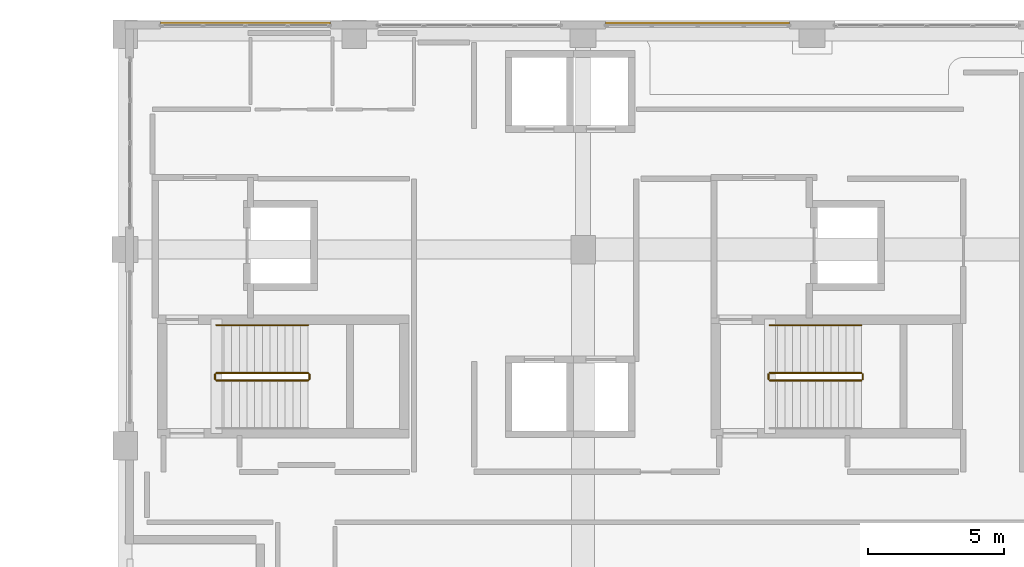
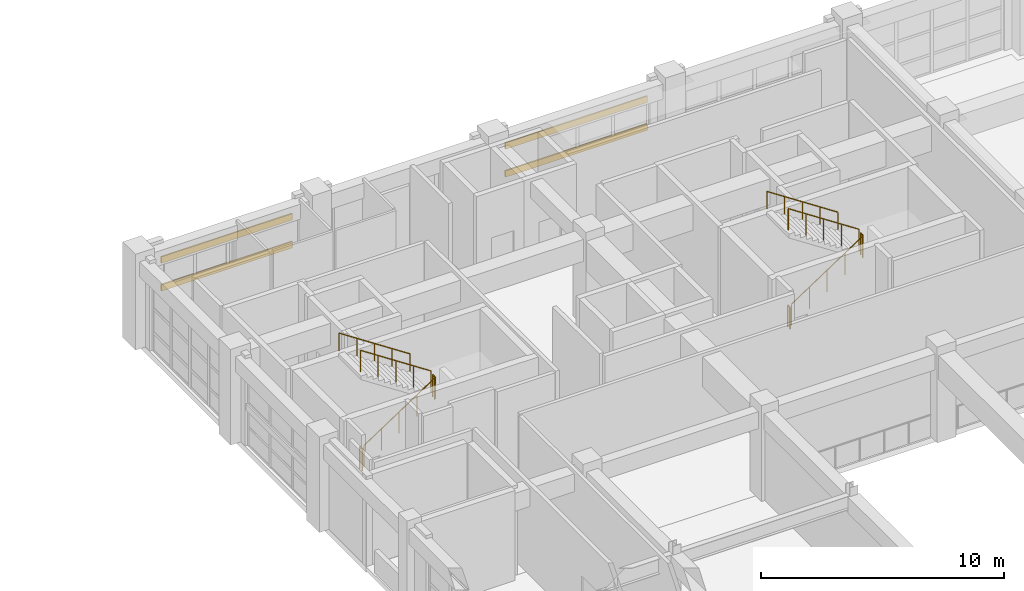
# One storey, part 118 of 123: 10 railings, 4 shading devices.
"""IFC4 building model written with IfcOpenShell, lengths in metres."""

from ifc_helpers import new_model, si_unit, direction, frame, origin, origin_2d, place, context, subcontext, project, spatial, hollow_rectangle, circle, extrude, material, material_profile, profile_set, type_object, element, save


model = new_model("IFC4")

# Units and contexts
model_context = context("Model", 3, precision=1e-05, world=origin(), true_north=direction((0.0, 1.0)))
body_context = subcontext(model_context, "Body", "Model", "MODEL_VIEW")
ifc_project = project(units=[si_unit("LENGTHUNIT", "METRE"), si_unit("AREAUNIT", "SQUARE_METRE"), si_unit("VOLUMEUNIT", "CUBIC_METRE"), si_unit("PLANEANGLEUNIT", "RADIAN"), si_unit("MASSUNIT", "GRAM", prefix="KILO")], contexts=[model_context])

# Site, building, storey
site_placement = place(None, origin())
site = spatial("IfcSite", under=ifc_project, at=site_placement, CompositionType="ELEMENT")
building_placement = place(site_placement, origin())
building = spatial("IfcBuilding", under=site, at=building_placement, Name="Quendrovan Civic Courthouse", CompositionType="ELEMENT")
storey_placement = place(building_placement, frame((0.0, 0.0, 5.39990234375)))
storey = spatial("IfcBuildingStorey", under=building, at=storey_placement, Name="L02", CompositionType="ELEMENT", Elevation=5.39990234375)

# Railings
ifc_material_1 = material(Name="Painted galvanized steel", Category="steel")
railing_type_1 = type_object("IfcRailingType", Name="RL-STR-GUARD1100", PredefinedType="GUARDRAIL", material=ifc_material_1)
railing_1_placement = place(storey_placement, frame((36.949951171875, 97.199951171875, 0.184814453125)))
element("IfcRailing", 1, at=railing_1_placement, inside=storey, type_object=railing_type_1, Name="L02 ST1 stair guard 1", PredefinedType="GUARDRAIL", context=body_context, shape_type="SweptSolid", body=[
    extrude(circle(Radius=0.02392578125, at=origin_2d()), frame((0.0, 0.0, 1.076171875), z_axis=(0.834876476806, 0.0, 0.550437342915), x_axis=(0.0, 1.0, 0.0)), (0.0, 0.0, 1.0), 4.024658203125),
    extrude(circle(Radius=0.02099609375, at=origin_2d()), origin(), (0.0, 0.0, 1.0), 1.052001953125),
    extrude(circle(Radius=0.02099609375, at=origin_2d()), frame((0.840087890625, 0.0, 0.5537109375)), (0.0, 0.0, 1.0), 1.052001953125),
    extrude(circle(Radius=0.02099609375, at=origin_2d()), frame((1.68017578125, 0.0, 1.107666015625)), (0.0, 0.0, 1.0), 1.052001953125),
    extrude(circle(Radius=0.02099609375, at=origin_2d()), frame((2.52001953125, 0.0, 1.66162109375)), (0.0, 0.0, 1.0), 1.052001953125),
    extrude(circle(Radius=0.02099609375, at=origin_2d()), frame((3.360107421875, 0.0, 2.21533203125)), (0.0, 0.0, 1.0), 1.052001953125),
])
railing_2_placement = place(storey_placement, frame((40.360107421875, 97.25, 2.400146484375)))
element("IfcRailing", 2, at=railing_2_placement, inside=storey, type_object=railing_type_1, Name="L02 ST1 stair guard 2", PredefinedType="GUARDRAIL", context=body_context, shape_type="SweptSolid", body=[
    extrude(circle(Radius=0.02392578125, at=origin_2d()), frame((0.0, 0.0, 1.076171875), z_axis=(0.0, 1.0, 0.0), x_axis=(-1.0, 0.0, 0.0)), (0.0, 0.0, 1.0), 0.179931640625),
    extrude(circle(Radius=0.02099609375, at=origin_2d()), origin(), (0.0, 0.0, 1.0), 1.052001953125),
    extrude(circle(Radius=0.02099609375, at=origin_2d()), frame((0.0, 0.179931640625, 0.0)), (0.0, 0.0, 1.0), 1.052001953125),
])
railing_3_placement = place(storey_placement, frame((40.31005859375, 97.47998046875, 2.584716796875)))
element("IfcRailing", 3, at=railing_3_placement, inside=storey, type_object=railing_type_1, Name="L02 ST1 stair guard 3", PredefinedType="GUARDRAIL", context=body_context, shape_type="SweptSolid", body=[
    extrude(circle(Radius=0.02392578125, at=origin_2d()), frame((0.0, 0.0, 1.076171875), z_axis=(-0.834876476806, 0.0, 0.550437342915), x_axis=(0.0, -1.0, 0.0)), (0.0, 0.0, 1.0), 4.024658203125),
    extrude(circle(Radius=0.02099609375, at=origin_2d()), origin(), (0.0, 0.0, 1.0), 1.052001953125),
    extrude(circle(Radius=0.02099609375, at=origin_2d()), frame((-0.840087890625, 0.0, 0.5537109375)), (0.0, 0.0, 1.0), 1.052001953125),
    extrude(circle(Radius=0.02099609375, at=origin_2d()), frame((-1.68017578125, 0.0, 1.107666015625)), (0.0, 0.0, 1.0), 1.052001953125),
    extrude(circle(Radius=0.02099609375, at=origin_2d()), frame((-2.52001953125, 0.0, 1.66162109375)), (0.0, 0.0, 1.0), 1.052001953125),
    extrude(circle(Radius=0.02099609375, at=origin_2d()), frame((-3.360107421875, 0.0, 2.21533203125)), (0.0, 0.0, 1.0), 1.052001953125),
])
railing_4_placement = place(storey_placement, frame((36.89990234375, 97.25, 0.0)))
element("IfcRailing", 4, at=railing_4_placement, inside=storey, type_object=railing_type_1, Name="L02 ST1 stair guard 4", PredefinedType="GUARDRAIL", context=body_context, shape_type="SweptSolid", body=[
    extrude(circle(Radius=0.02392578125, at=origin_2d()), frame((0.0, 0.0, 1.076171875), z_axis=(0.0, 1.0, 0.0), x_axis=(-1.0, 0.0, 0.0)), (0.0, 0.0, 1.0), 0.179931640625),
    extrude(circle(Radius=0.02099609375, at=origin_2d()), origin(), (0.0, 0.0, 1.0), 1.052001953125),
    extrude(circle(Radius=0.02099609375, at=origin_2d()), frame((0.0, 0.179931640625, 0.0)), (0.0, 0.0, 1.0), 1.052001953125),
])
railing_5_placement = place(storey_placement, frame((57.25, 97.199951171875, 0.184814453125)))
element("IfcRailing", 5, at=railing_5_placement, inside=storey, type_object=railing_type_1, Name="L02 ST2 stair guard 1", PredefinedType="GUARDRAIL", context=body_context, shape_type="SweptSolid", body=[
    extrude(circle(Radius=0.02392578125, at=origin_2d()), frame((0.0, 0.0, 1.076171875), z_axis=(0.834876476806, 0.0, 0.550437342915), x_axis=(0.0, 1.0, 0.0)), (0.0, 0.0, 1.0), 4.024658203125),
    extrude(circle(Radius=0.02099609375, at=origin_2d()), origin(), (0.0, 0.0, 1.0), 1.052001953125),
    extrude(circle(Radius=0.02099609375, at=origin_2d()), frame((0.840087890625, 0.0, 0.5537109375)), (0.0, 0.0, 1.0), 1.052001953125),
    extrude(circle(Radius=0.02099609375, at=origin_2d()), frame((1.68017578125, 0.0, 1.107666015625)), (0.0, 0.0, 1.0), 1.052001953125),
    extrude(circle(Radius=0.02099609375, at=origin_2d()), frame((2.52001953125, 0.0, 1.66162109375)), (0.0, 0.0, 1.0), 1.052001953125),
    extrude(circle(Radius=0.02099609375, at=origin_2d()), frame((3.360107421875, 0.0, 2.21533203125)), (0.0, 0.0, 1.0), 1.052001953125),
])
railing_6_placement = place(storey_placement, frame((60.659912109375, 97.25, 2.400146484375)))
element("IfcRailing", 6, at=railing_6_placement, inside=storey, type_object=railing_type_1, Name="L02 ST2 stair guard 2", PredefinedType="GUARDRAIL", context=body_context, shape_type="SweptSolid", body=[
    extrude(circle(Radius=0.02392578125, at=origin_2d()), frame((0.0, 0.0, 1.076171875), z_axis=(0.0, 1.0, 0.0), x_axis=(-1.0, 0.0, 0.0)), (0.0, 0.0, 1.0), 0.179931640625),
    extrude(circle(Radius=0.02099609375, at=origin_2d()), origin(), (0.0, 0.0, 1.0), 1.052001953125),
    extrude(circle(Radius=0.02099609375, at=origin_2d()), frame((0.0, 0.179931640625, 0.0)), (0.0, 0.0, 1.0), 1.052001953125),
])
railing_7_placement = place(storey_placement, frame((60.610107421875, 97.47998046875, 2.584716796875)))
element("IfcRailing", 7, at=railing_7_placement, inside=storey, type_object=railing_type_1, Name="L02 ST2 stair guard 3", PredefinedType="GUARDRAIL", context=body_context, shape_type="SweptSolid", body=[
    extrude(circle(Radius=0.02392578125, at=origin_2d()), frame((0.0, 0.0, 1.076171875), z_axis=(-0.834876476806, 0.0, 0.550437342915), x_axis=(0.0, -1.0, 0.0)), (0.0, 0.0, 1.0), 4.024658203125),
    extrude(circle(Radius=0.02099609375, at=origin_2d()), origin(), (0.0, 0.0, 1.0), 1.052001953125),
    extrude(circle(Radius=0.02099609375, at=origin_2d()), frame((-0.840087890625, 0.0, 0.5537109375)), (0.0, 0.0, 1.0), 1.052001953125),
    extrude(circle(Radius=0.02099609375, at=origin_2d()), frame((-1.68017578125, 0.0, 1.107666015625)), (0.0, 0.0, 1.0), 1.052001953125),
    extrude(circle(Radius=0.02099609375, at=origin_2d()), frame((-2.52001953125, 0.0, 1.66162109375)), (0.0, 0.0, 1.0), 1.052001953125),
    extrude(circle(Radius=0.02099609375, at=origin_2d()), frame((-3.360107421875, 0.0, 2.21533203125)), (0.0, 0.0, 1.0), 1.052001953125),
])
railing_8_placement = place(storey_placement, frame((57.199951171875, 97.25, 0.0)))
element("IfcRailing", 8, at=railing_8_placement, inside=storey, type_object=railing_type_1, Name="L02 ST2 stair guard 4", PredefinedType="GUARDRAIL", context=body_context, shape_type="SweptSolid", body=[
    extrude(circle(Radius=0.02392578125, at=origin_2d()), frame((0.0, 0.0, 1.076171875), z_axis=(0.0, 1.0, 0.0), x_axis=(-1.0, 0.0, 0.0)), (0.0, 0.0, 1.0), 0.179931640625),
    extrude(circle(Radius=0.02099609375, at=origin_2d()), origin(), (0.0, 0.0, 1.0), 1.052001953125),
    extrude(circle(Radius=0.02099609375, at=origin_2d()), frame((0.0, 0.179931640625, 0.0)), (0.0, 0.0, 1.0), 1.052001953125),
])
ifc_material_2 = material(Name="Bronze anodised aluminium", Category="aluminium")
railing_type_2 = type_object("IfcRailingType", Name="RL-STR-HAND900", PredefinedType="HANDRAIL", material=ifc_material_2)
for number, where, name in (
    (9, (40.31005859375, 99.22998046875, 2.584716796875), "L02 ST1 stair handrail 2"),
    (10, (60.610107421875, 99.22998046875, 2.584716796875), "L02 ST2 stair handrail 2"),
):
    element("IfcRailing", number, at=place(storey_placement, frame(where)), inside=storey, type_object=railing_type_2, Name=name, PredefinedType="HANDRAIL", context=body_context, shape_type="SweptSolid", body=[
        extrude(circle(Radius=0.02392578125, at=origin_2d()), frame((0.0, 0.0, 0.8759765625), z_axis=(-0.834876476806, 0.0, 0.550437342915), x_axis=(0.0, -1.0, 0.0)), (0.0, 0.0, 1.0), 4.024658203125),
        extrude(circle(Radius=0.02099609375, at=origin_2d()), origin(), (0.0, 0.0, 1.0), 0.851806640625),
        extrude(circle(Radius=0.02099609375, at=origin_2d()), frame((-0.840087890625, 0.0, 0.5537109375)), (0.0, 0.0, 1.0), 0.851806640625),
        extrude(circle(Radius=0.02099609375, at=origin_2d()), frame((-1.68017578125, 0.0, 1.107666015625)), (0.0, 0.0, 1.0), 0.851806640625),
        extrude(circle(Radius=0.02099609375, at=origin_2d()), frame((-2.52001953125, 0.0, 1.66162109375)), (0.0, 0.0, 1.0), 0.851806640625),
        extrude(circle(Radius=0.02099609375, at=origin_2d()), frame((-3.360107421875, 0.0, 2.21533203125)), (0.0, 0.0, 1.0), 0.851806640625),
    ])

# Shading devices
ifc_material_profile = material_profile(ifc_material_2, hollow_rectangle(XDim=0.06494140625, YDim=0.320068359375, WallThickness=0.0048828125, at=origin_2d()), Name="AL-LOUVRE-65x320")
ifc_profile_set = profile_set([ifc_material_profile], Name="Bronze anodised aluminium")
shading_device_type = type_object("IfcShadingDeviceType", Name="SHD-STORM-LOUVRE", PredefinedType="JALOUSIE", material=ifc_profile_set)
for number, where, z_axis, x_axis, name in (
    (11, (34.89990234375, 110.31494140625, 1.9501953125), (1.0, 0.0, 0.0), (0.0, 1.0, 0.0), "L02 Bronze Hurricane Storm Louvre SLV-081"),
    (12, (34.89990234375, 110.31494140625, 3.35009765625), (1.0, 0.0, 0.0), (0.0, 1.0, 0.0), "L02 Bronze Hurricane Storm Louvre SLV-082"),
):
    element("IfcShadingDevice", number, at=place(storey_placement, frame(where, z_axis=z_axis, x_axis=x_axis)), inside=storey, type_object=shading_device_type, Name=name, PredefinedType="JALOUSIE", context=body_context, shape_type="SweptSolid", body=[
        extrude(hollow_rectangle(XDim=0.06494140625, YDim=0.320068359375, WallThickness=0.0048828125, at=origin_2d()), origin(), (0.0, 0.0, 1.0), 6.22509765625),
    ])
for number, where, z_axis, x_axis, name in (
    (13, (51.22509765625, 110.31494140625, 1.9501953125), (1.0, 0.0, 0.0), (0.0, 1.0, 0.0), "L02 Bronze Hurricane Storm Louvre SLV-083"),
    (14, (51.22509765625, 110.31494140625, 3.35009765625), (1.0, 0.0, 0.0), (0.0, 1.0, 0.0), "L02 Bronze Hurricane Storm Louvre SLV-084"),
):
    element("IfcShadingDevice", number, at=place(storey_placement, frame(where, z_axis=z_axis, x_axis=x_axis)), inside=storey, type_object=shading_device_type, Name=name, PredefinedType="JALOUSIE", context=body_context, shape_type="SweptSolid", body=[
        extrude(hollow_rectangle(XDim=0.06494140625, YDim=0.320068359375, WallThickness=0.0048828125, at=origin_2d()), origin(), (0.0, 0.0, 1.0), 6.75),
    ])

save(model, "model.ifc")
